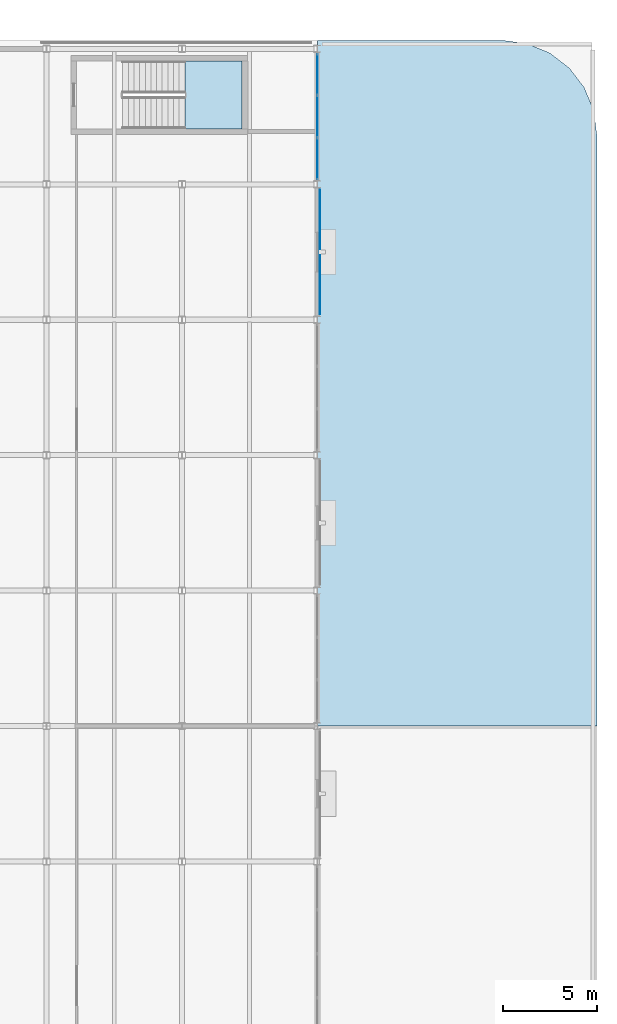
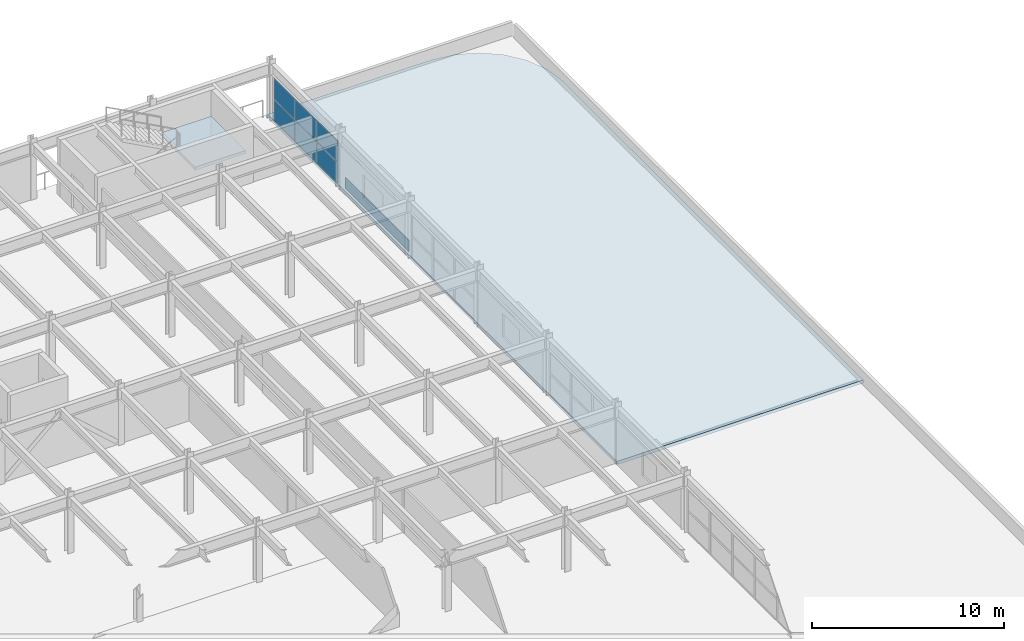
# One storey, part 47 of 80: 7 plates, 2 slabs, 2 elements without a shape of their own.
"""IFC4 building model written with IfcOpenShell, lengths in metres."""

from ifc_helpers import new_model, si_unit, direction, frame, origin, origin_2d, place, context, subcontext, project, spatial, polyline, rectangle, outline, extrude, material, layer, layer_set, type_object, element, aggregate, save


model = new_model("IFC4")

# Units and contexts
model_context = context("Model", 3, precision=1e-05, world=origin(), true_north=direction((0.0, 1.0)))
body_context = subcontext(model_context, "Body", "Model", "MODEL_VIEW")
ifc_project = project(units=[si_unit("LENGTHUNIT", "METRE"), si_unit("AREAUNIT", "SQUARE_METRE"), si_unit("VOLUMEUNIT", "CUBIC_METRE"), si_unit("PLANEANGLEUNIT", "RADIAN"), si_unit("MASSUNIT", "GRAM", prefix="KILO")], contexts=[model_context])

# Site, building, storey
site_placement = place(None, origin())
site = spatial("IfcSite", under=ifc_project, at=site_placement, CompositionType="ELEMENT")
building_placement = place(site_placement, origin())
building = spatial("IfcBuilding", under=site, at=building_placement, Name="Vaelcorin Mobility Hub", CompositionType="ELEMENT")
storey_placement = place(building_placement, frame((0.0, 0.0, 9.300048828125)))
storey = spatial("IfcBuildingStorey", under=building, at=storey_placement, Name="L02", CompositionType="ELEMENT", Elevation=9.300048828125)

# Curtain wall, plates
ifc_material_1 = material(Name="Anodised aluminium 6063-T6", Category="aluminium")
curtain_wall_type = type_object("IfcCurtainWallType", Name="CW-MOB-A", PredefinedType="NOTDEFINED", material=ifc_material_1)
curtain_wall_placement = place(storey_placement, origin())
curtain_wall = element("IfcCurtainWall", 1, at=curtain_wall_placement, inside=storey, type_object=curtain_wall_type, Name="L02 Curtain Wall CW-V5-L02-E-14", PredefinedType="NOTDEFINED")
ifc_material_2 = material(Name="Low-E solar-control insulated glazing", Category="glass")
ifc_layer_1 = layer(ifc_material_2, 0.028076171875)
ifc_layer_set_1 = layer_set([ifc_layer_1], Name="Low-E solar-control insulated glazing")
plate_type_1 = type_object("IfcPlateType", Name="CW-PAN-GLZ28", PredefinedType="CURTAIN_PANEL", material=ifc_layer_set_1)
plate_1_placement = place(storey_placement, frame((189.60009765625, 118.638427734375, 0.06005859375), z_axis=(0.0, 0.0, 1.0), x_axis=(0.0, -1.0, 0.0)))
plate_1 = element("IfcPlate", 2, at=plate_1_placement, type_object=plate_type_1, Name="CW7 panel 1.1", PredefinedType="CURTAIN_PANEL", context=body_context, shape_type="SweptSolid", body=[
    extrude(rectangle(XDim=2.163330078125, YDim=0.028076171875, at=origin_2d()), origin(), (0.0, 0.0, 1.0), 1.323974609375),
])
plate_2_placement = place(storey_placement, frame((189.60009765625, 118.638427734375, 1.44384765625), z_axis=(0.0, 0.0, 1.0), x_axis=(0.0, -1.0, 0.0)))
plate_2 = element("IfcPlate", 3, at=plate_2_placement, type_object=plate_type_1, Name="CW7 panel 1.2", PredefinedType="CURTAIN_PANEL", context=body_context, shape_type="SweptSolid", body=[
    extrude(rectangle(XDim=2.163330078125, YDim=0.028076171875, at=origin_2d()), origin(), (0.0, 0.0, 1.0), 1.323974609375),
])
plate_3_placement = place(storey_placement, frame((189.60009765625, 116.39990234375, 0.06005859375), z_axis=(0.0, 0.0, 1.0), x_axis=(0.0, -1.0, 0.0)))
plate_3 = element("IfcPlate", 4, at=plate_3_placement, type_object=plate_type_1, Name="CW7 panel 2.1", PredefinedType="CURTAIN_PANEL", context=body_context, shape_type="SweptSolid", body=[
    extrude(rectangle(XDim=2.193359375, YDim=0.028076171875, at=origin_2d()), origin(), (0.0, 0.0, 1.0), 1.323974609375),
])
plate_4_placement = place(storey_placement, frame((189.60009765625, 116.39990234375, 1.44384765625), z_axis=(0.0, 0.0, 1.0), x_axis=(0.0, -1.0, 0.0)))
plate_4 = element("IfcPlate", 5, at=plate_4_placement, type_object=plate_type_1, Name="CW7 panel 2.2", PredefinedType="CURTAIN_PANEL", context=body_context, shape_type="SweptSolid", body=[
    extrude(rectangle(XDim=2.193359375, YDim=0.028076171875, at=origin_2d()), origin(), (0.0, 0.0, 1.0), 1.323974609375),
])
plate_5_placement = place(storey_placement, frame((189.60009765625, 114.16162109375, 0.06005859375), z_axis=(0.0, 0.0, 1.0), x_axis=(0.0, -1.0, 0.0)))
plate_5 = element("IfcPlate", 6, at=plate_5_placement, type_object=plate_type_1, Name="CW7 panel 3.1", PredefinedType="CURTAIN_PANEL", context=body_context, shape_type="SweptSolid", body=[
    extrude(rectangle(XDim=2.163330078125, YDim=0.028076171875, at=origin_2d()), origin(), (0.0, 0.0, 1.0), 1.323974609375),
])
plate_6_placement = place(storey_placement, frame((189.60009765625, 114.16162109375, 1.44384765625), z_axis=(0.0, 0.0, 1.0), x_axis=(0.0, -1.0, 0.0)))
plate_6 = element("IfcPlate", 7, at=plate_6_placement, type_object=plate_type_1, Name="CW7 panel 3.2", PredefinedType="CURTAIN_PANEL", context=body_context, shape_type="SweptSolid", body=[
    extrude(rectangle(XDim=2.163330078125, YDim=0.028076171875, at=origin_2d()), origin(), (0.0, 0.0, 1.0), 1.323974609375),
])
aggregate(curtain_wall, [plate_1, plate_2, plate_3, plate_4, plate_5, plate_6])

# Plate
ifc_material_3 = material(Name="Extruded terracotta-bronze rainscreen panel", Category="masonry")
ifc_layer_2 = layer(ifc_material_3, 0.01806640625)
ifc_layer_set_2 = layer_set([ifc_layer_2], Name="Extruded terracotta-bronze rainscreen panel")
plate_type_2 = type_object("IfcPlateType", Name="PL-CLAD-18", PredefinedType="SHEET", material=ifc_layer_set_2)
plate_7_placement = place(storey_placement, frame((189.739013671875, 109.199951171875, 0.0498046875), z_axis=(0.0, 0.0, 1.0), x_axis=(1.0, 0.0, 0.0)))
element("IfcPlate", 8, at=plate_7_placement, inside=storey, type_object=plate_type_2, Name="Terracotta-Bronze Rainscreen Spandrel L02-13", PredefinedType="SHEET", context=body_context, shape_type="SweptSolid", body=[
    extrude(rectangle(XDim=0.01806640625, YDim=6.60009765625, at=origin_2d()), origin(), (0.0, 0.0, 1.0), 0.699951171875),
])

# Stair, slab
ifc_material_4 = material(Name="Reinforced concrete f'c 45 MPa", Category="concrete")
stair_type = type_object("IfcStairType", Name="STAIR-ST6", PredefinedType="HALF_TURN_STAIR", material=ifc_material_4)
stair_placement = place(storey_placement, origin())
stair = element("IfcStair", 9, at=stair_placement, inside=storey, type_object=stair_type, Name="L02 Protected Exit Stair ST6", PredefinedType="HALF_TURN_STAIR")
ifc_layer_3 = layer(ifc_material_4, 0.199951171875)
ifc_layer_set_3 = layer_set([ifc_layer_3], Name="Reinforced concrete f'c 45 MPa")
slab_type_1 = type_object("IfcSlabType", Name="SLAB-LND-200", PredefinedType="LANDING", material=ifc_layer_set_3)
slab_1_placement = place(storey_placement, frame((0.0, 0.0, 1.75)))
slab_1 = element("IfcSlab", 10, at=slab_1_placement, type_object=slab_type_1, Name="ST6 landing 1", PredefinedType="LANDING", context=body_context, shape_type="SweptSolid", body=[
    extrude(outline(polyline([(182.550048828125, 115.75), (185.60009765625, 115.75), (185.60009765625, 119.35009765625), (182.550048828125, 119.35009765625), (182.550048828125, 115.75)])), origin(), (0.0, 0.0, 1.0), 0.199951171875),
])
aggregate(stair, [slab_1])

# Slab
ifc_material_5 = material(Name="Concrete f'c 35 MPa", Category="concrete")
ifc_layer_4 = layer(ifc_material_5, 0.199951171875)
ifc_layer_set_4 = layer_set([ifc_layer_4], Name="Concrete f'c 35 MPa")
slab_type_2 = type_object("IfcSlabType", Name="SLAB-RF-V5E", PredefinedType="ROOF", material=ifc_layer_set_4)
slab_2_placement = place(storey_placement, frame((0.0, 0.0, -0.199951171875)))
element("IfcSlab", 11, at=slab_2_placement, inside=storey, type_object=slab_type_2, Name="L02 East Cycle Wing Roof SL-V5E-RF-N", PredefinedType="ROOF", context=body_context, shape_type="SweptSolid", body=[
    extrude(outline(polyline([(200.743896484375, 120.280029296875), (201.949951171875, 119.780029296875), (202.986083984375, 118.986083984375), (203.780029296875, 117.949951171875), (204.280029296875, 116.743896484375), (204.449951171875, 115.449951171875), (204.449951171875, 84.0), (189.610107421875, 84.0), (189.610107421875, 120.449951171875), (199.449951171875, 120.449951171875), (200.743896484375, 120.280029296875)])), origin(), (0.0, 0.0, 1.0), 0.199951171875),
])

save(model, "model.ifc")
